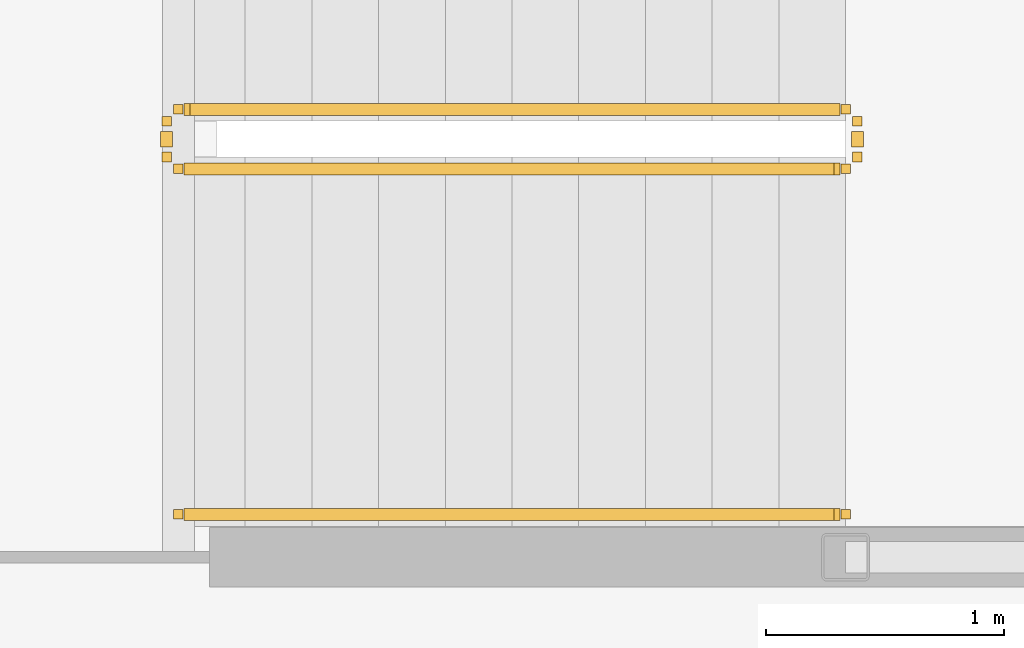
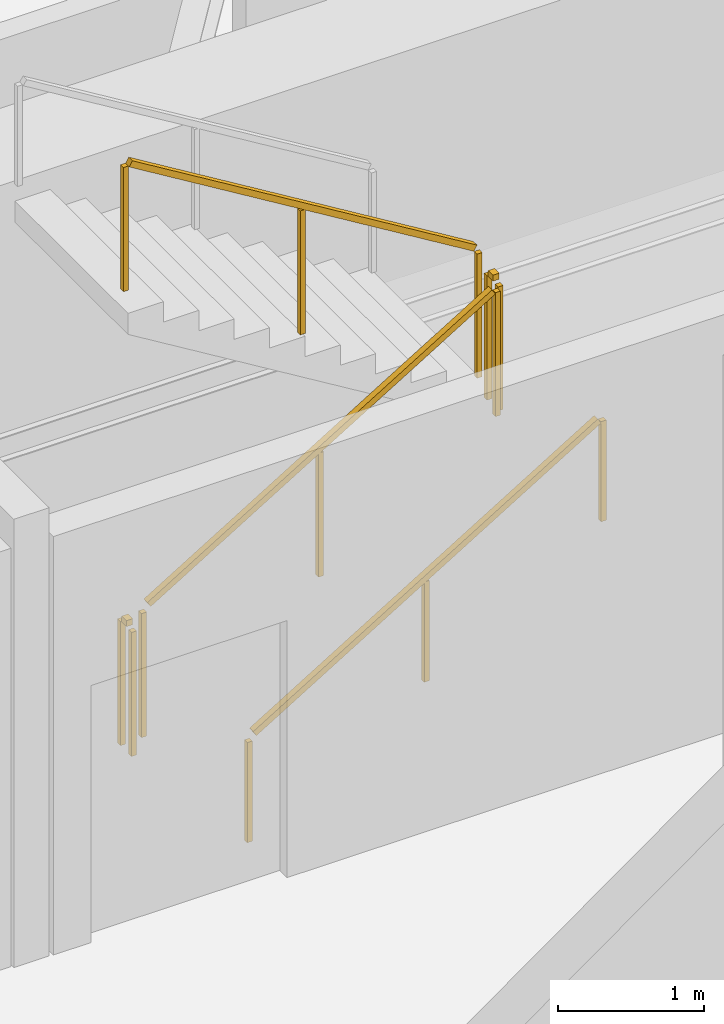
# One storey, part 19 of 20: 5 railings.
"""IFC4 building model written with IfcOpenShell, lengths in metres."""

from ifc_helpers import new_model, si_unit, direction, frame, origin, origin_2d, place, context, subcontext, project, spatial, rectangle, extrude, material, type_object, element, save


model = new_model("IFC4")

# Units and contexts
model_context = context("Model", 3, precision=1e-05, world=origin(), true_north=direction((0.0, 1.0)))
body_context = subcontext(model_context, "Body", "Model", "MODEL_VIEW")
ifc_project = project(units=[si_unit("LENGTHUNIT", "METRE"), si_unit("AREAUNIT", "SQUARE_METRE"), si_unit("VOLUMEUNIT", "CUBIC_METRE"), si_unit("PLANEANGLEUNIT", "RADIAN"), si_unit("MASSUNIT", "GRAM", prefix="KILO")], contexts=[model_context])

# Site, building, storey
site_placement = place(None, origin())
site = spatial("IfcSite", under=ifc_project, at=site_placement, CompositionType="ELEMENT")
building_placement = place(site_placement, origin())
building = spatial("IfcBuilding", under=site, at=building_placement, Name="Kazma Halo Residences", CompositionType="ELEMENT")
storey_placement = place(building_placement, frame((0.0, 0.0, 131.550048828125)))
storey = spatial("IfcBuildingStorey", under=building, at=storey_placement, Name="L32", CompositionType="ELEMENT", Elevation=131.550048828125)

# Railings
ifc_material_1 = material(Name="Painted Steel S355", Category="steel")
railing_type_1 = type_object("IfcRailingType", Name="RLG-STAIR-GRD-1100", PredefinedType="GUARDRAIL", material=ifc_material_1)
railing_1_placement = place(storey_placement, frame((53.199951171875, 48.25, 0.17041015625)))
element("IfcRailing", 1, at=railing_1_placement, inside=storey, type_object=railing_type_1, Name="L32 ST-02 stair guard 1", PredefinedType="GUARDRAIL", context=body_context, shape_type="SweptSolid", body=[
    extrude(rectangle(XDim=0.050048828125, YDim=0.050048828125, at=origin_2d()), frame((0.036376953125, 0.0, 1.09716796875), z_axis=(0.854169791009, 0.0, 0.51999420009), x_axis=(0.0, 1.0, 0.0)), (0.0, 0.0, 1.0), 3.193115234375),
    extrude(rectangle(XDim=0.0400390625, YDim=0.0400390625, at=origin_2d()), origin(), (0.0, 0.0, 1.0), 1.0380859375),
    extrude(rectangle(XDim=0.0400390625, YDim=0.0400390625, at=origin_2d()), frame((1.39990234375, 0.0, 0.852294921875)), (0.0, 0.0, 1.0), 1.0380859375),
    extrude(rectangle(XDim=0.0400390625, YDim=0.0400390625, at=origin_2d()), frame((2.800048828125, 0.0, 1.70458984375)), (0.0, 0.0, 1.0), 1.0380859375),
])
railing_2_placement = place(storey_placement, frame((56.050048828125, 48.300048828125, 1.875)))
element("IfcRailing", 2, at=railing_2_placement, inside=storey, type_object=railing_type_1, Name="L32 ST-02 stair guard 2", PredefinedType="GUARDRAIL", context=body_context, shape_type="SweptSolid", body=[
    extrude(rectangle(XDim=0.050048828125, YDim=0.050048828125, at=origin_2d()), frame((0.0, 0.04248046875, 1.0751953125), z_axis=(0.0, 1.0, 0.0), x_axis=(-1.0, 0.0, 0.0)), (0.0, 0.0, 1.0), 0.06494140625),
    extrude(rectangle(XDim=0.0400390625, YDim=0.0400390625, at=origin_2d()), origin(), (0.0, 0.0, 1.0), 1.0380859375),
    extrude(rectangle(XDim=0.0400390625, YDim=0.0400390625, at=origin_2d()), frame((0.0, 0.14990234375, 0.0)), (0.0, 0.0, 1.0), 1.0380859375),
])
railing_3_placement = place(storey_placement, frame((56.0, 48.5, 2.04541015625)))
element("IfcRailing", 3, at=railing_3_placement, inside=storey, type_object=railing_type_1, Name="L32 ST-02 stair guard 3", PredefinedType="GUARDRAIL", context=body_context, shape_type="SweptSolid", body=[
    extrude(rectangle(XDim=0.050048828125, YDim=0.050048828125, at=origin_2d()), frame((-0.036376953125, 0.0, 1.09716796875), z_axis=(-0.854169791009, 0.0, 0.51999420009), x_axis=(0.0, -1.0, 0.0)), (0.0, 0.0, 1.0), 3.193115234375),
    extrude(rectangle(XDim=0.0400390625, YDim=0.0400390625, at=origin_2d()), origin(), (0.0, 0.0, 1.0), 1.0380859375),
    extrude(rectangle(XDim=0.0400390625, YDim=0.0400390625, at=origin_2d()), frame((-1.39990234375, 0.0, 0.852294921875)), (0.0, 0.0, 1.0), 1.0380859375),
    extrude(rectangle(XDim=0.0400390625, YDim=0.0400390625, at=origin_2d()), frame((-2.800048828125, 0.0, 1.70458984375)), (0.0, 0.0, 1.0), 1.0380859375),
])
railing_4_placement = place(storey_placement, frame((53.14990234375, 48.300048828125, 0.0)))
element("IfcRailing", 4, at=railing_4_placement, inside=storey, type_object=railing_type_1, Name="L32 ST-02 stair guard 4", PredefinedType="GUARDRAIL", context=body_context, shape_type="SweptSolid", body=[
    extrude(rectangle(XDim=0.050048828125, YDim=0.050048828125, at=origin_2d()), frame((0.0, 0.04248046875, 1.0751953125), z_axis=(0.0, 1.0, 0.0), x_axis=(-1.0, 0.0, 0.0)), (0.0, 0.0, 1.0), 0.06494140625),
    extrude(rectangle(XDim=0.0400390625, YDim=0.0400390625, at=origin_2d()), origin(), (0.0, 0.0, 1.0), 1.0380859375),
    extrude(rectangle(XDim=0.0400390625, YDim=0.0400390625, at=origin_2d()), frame((0.0, 0.14990234375, 0.0)), (0.0, 0.0, 1.0), 1.0380859375),
])
ifc_material_2 = material(Name="Brushed Stainless Steel", Category="steel")
railing_type_2 = type_object("IfcRailingType", Name="RLG-STAIR-HND-900", PredefinedType="HANDRAIL", material=ifc_material_2)
railing_5_placement = place(storey_placement, frame((53.199951171875, 46.800048828125, 0.17041015625)))
element("IfcRailing", 5, at=railing_5_placement, inside=storey, type_object=railing_type_2, Name="L32 ST-02 stair handrail 1", PredefinedType="HANDRAIL", context=body_context, shape_type="SweptSolid", body=[
    extrude(rectangle(XDim=0.050048828125, YDim=0.050048828125, at=origin_2d()), frame((0.036376953125, 0.0, 0.89697265625), z_axis=(0.854169791009, 0.0, 0.51999420009), x_axis=(0.0, 1.0, 0.0)), (0.0, 0.0, 1.0), 3.193115234375),
    extrude(rectangle(XDim=0.0400390625, YDim=0.0400390625, at=origin_2d()), origin(), (0.0, 0.0, 1.0), 0.837890625),
    extrude(rectangle(XDim=0.0400390625, YDim=0.0400390625, at=origin_2d()), frame((1.39990234375, 0.0, 0.852294921875)), (0.0, 0.0, 1.0), 0.837890625),
    extrude(rectangle(XDim=0.0400390625, YDim=0.0400390625, at=origin_2d()), frame((2.800048828125, 0.0, 1.70458984375)), (0.0, 0.0, 1.0), 0.837890625),
])

save(model, "model.ifc")
